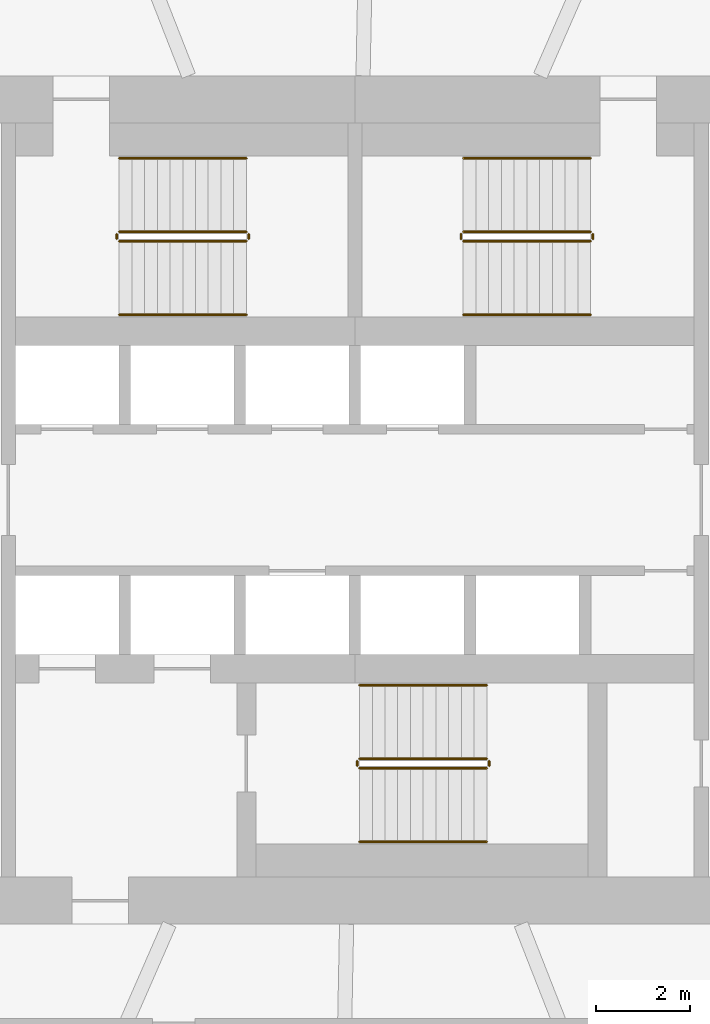
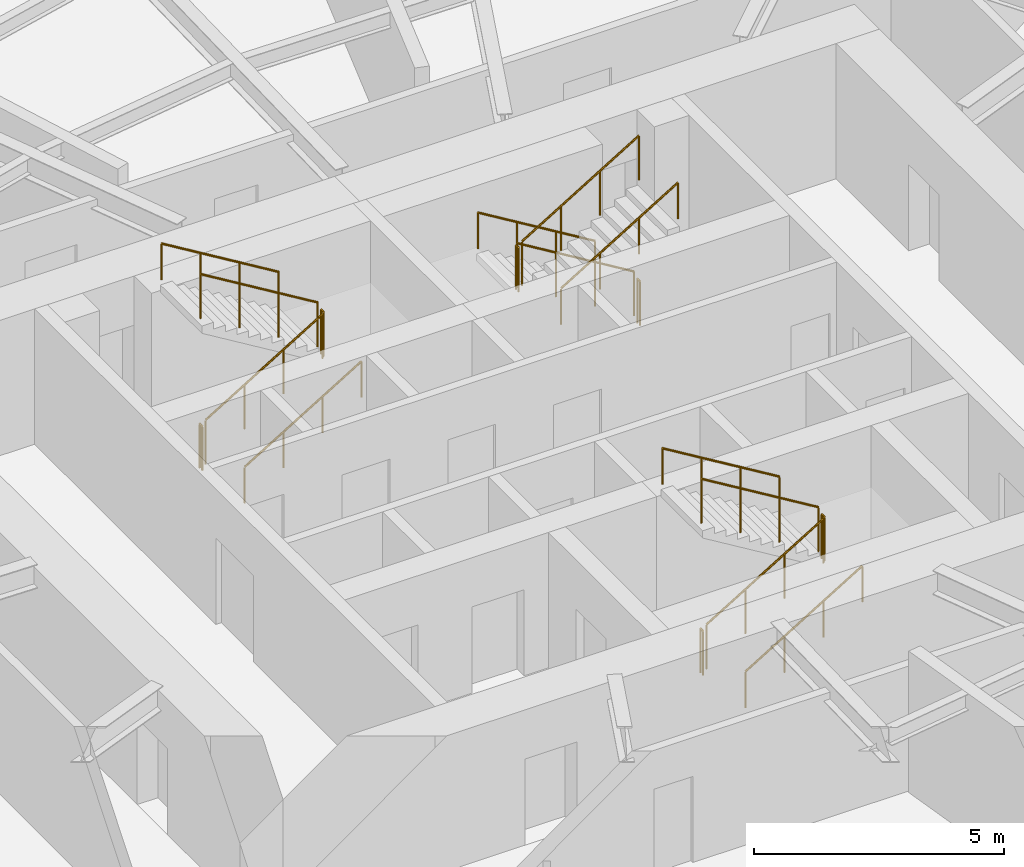
# One storey, part 13 of 14: 18 railings.
"""IFC4 building model written with IfcOpenShell, lengths in metres."""

from ifc_helpers import new_model, si_unit, direction, frame, origin, origin_2d, place, context, subcontext, project, spatial, circle, extrude, material, type_object, element, save


model = new_model("IFC4")

# Units and contexts
model_context = context("Model", 3, precision=1e-05, world=origin(), true_north=direction((0.0, 1.0)))
body_context = subcontext(model_context, "Body", "Model", "MODEL_VIEW")
ifc_project = project(units=[si_unit("LENGTHUNIT", "METRE"), si_unit("AREAUNIT", "SQUARE_METRE"), si_unit("VOLUMEUNIT", "CUBIC_METRE"), si_unit("PLANEANGLEUNIT", "RADIAN"), si_unit("MASSUNIT", "GRAM", prefix="KILO")], contexts=[model_context])

# Site, building, storey
site_placement = place(None, origin())
site = spatial("IfcSite", under=ifc_project, at=site_placement, CompositionType="ELEMENT")
building_placement = place(site_placement, origin())
building = spatial("IfcBuilding", under=site, at=building_placement, Name="Vermilion Reach Broadcast Tower", CompositionType="ELEMENT")
storey_placement = place(building_placement, frame((0.0, 0.0, 143.39990234375)))
storey = spatial("IfcBuildingStorey", under=building, at=storey_placement, Name="L33", CompositionType="ELEMENT", Elevation=143.39990234375)

# Railings
ifc_material_1 = material(Name="Stainless steel", Category="steel")
railing_type_1 = type_object("IfcRailingType", Name="Stair guard 1100", PredefinedType="GUARDRAIL", material=ifc_material_1)
railing_1_placement = place(storey_placement, frame((-11.0, 5.489990234375, 0.163818359375)))
element("IfcRailing", 1, at=railing_1_placement, inside=storey, type_object=railing_type_1, Name="L33 ST1 stair guard 1", PredefinedType="GUARDRAIL", context=body_context, shape_type="SweptSolid", body=[
    extrude(circle(Radius=0.02392578125, at=origin_2d()), frame((0.0, 0.0, 1.076171875), z_axis=(0.855212373127, 0.0, 0.518277721738), x_axis=(0.0, 1.0, 0.0)), (0.0, 0.0, 1.0), 3.156982421875),
    extrude(circle(Radius=0.02099609375, at=origin_2d()), origin(), (0.0, 0.0, 1.0), 1.052001953125),
    extrude(circle(Radius=0.02099609375, at=origin_2d()), frame((0.89990234375, 0.0, 0.54541015625)), (0.0, 0.0, 1.0), 1.052001953125),
    extrude(circle(Radius=0.02099609375, at=origin_2d()), frame((1.800048828125, 0.0, 1.0908203125)), (0.0, 0.0, 1.0), 1.052001953125),
    extrude(circle(Radius=0.02099609375, at=origin_2d()), frame((2.699951171875, 0.0, 1.63623046875)), (0.0, 0.0, 1.0), 1.052001953125),
])
railing_2_placement = place(storey_placement, frame((-8.25, 5.5400390625, 1.800048828125)))
element("IfcRailing", 2, at=railing_2_placement, inside=storey, type_object=railing_type_1, Name="L33 ST1 stair guard 2", PredefinedType="GUARDRAIL", context=body_context, shape_type="SweptSolid", body=[
    extrude(circle(Radius=0.02392578125, at=origin_2d()), frame((0.0, 0.0, 1.076171875), z_axis=(0.0, 1.0, 0.0), x_axis=(-1.0, 0.0, 0.0)), (0.0, 0.0, 1.0), 0.099853515625),
    extrude(circle(Radius=0.02099609375, at=origin_2d()), origin(), (0.0, 0.0, 1.0), 1.052001953125),
    extrude(circle(Radius=0.02099609375, at=origin_2d()), frame((0.0, 0.099853515625, 0.0)), (0.0, 0.0, 1.0), 1.052001953125),
])
railing_3_placement = place(storey_placement, frame((-8.300048828125, 5.68994140625, 1.963623046875)))
element("IfcRailing", 3, at=railing_3_placement, inside=storey, type_object=railing_type_1, Name="L33 ST1 stair guard 3", PredefinedType="GUARDRAIL", context=body_context, shape_type="SweptSolid", body=[
    extrude(circle(Radius=0.02392578125, at=origin_2d()), frame((0.0, 0.0, 1.076171875), z_axis=(-0.855178096276, 0.0, 0.518334277904), x_axis=(0.0, -1.0, 0.0)), (0.0, 0.0, 1.0), 3.1572265625),
    extrude(circle(Radius=0.02099609375, at=origin_2d()), origin(), (0.0, 0.0, 1.0), 1.052001953125),
    extrude(circle(Radius=0.02099609375, at=origin_2d()), frame((-0.89990234375, 0.0, 0.54541015625)), (0.0, 0.0, 1.0), 1.052001953125),
    extrude(circle(Radius=0.02099609375, at=origin_2d()), frame((-1.800048828125, 0.0, 1.091064453125)), (0.0, 0.0, 1.0), 1.052001953125),
    extrude(circle(Radius=0.02099609375, at=origin_2d()), frame((-2.699951171875, 0.0, 1.636474609375)), (0.0, 0.0, 1.0), 1.052001953125),
])
railing_4_placement = place(storey_placement, frame((-11.050048828125, 5.5400390625, 0.0)))
element("IfcRailing", 4, at=railing_4_placement, inside=storey, type_object=railing_type_1, Name="L33 ST1 stair guard 4", PredefinedType="GUARDRAIL", context=body_context, shape_type="SweptSolid", body=[
    extrude(circle(Radius=0.02392578125, at=origin_2d()), frame((0.0, 0.0, 1.076171875), z_axis=(0.0, 1.0, 0.0), x_axis=(-1.0, 0.0, 0.0)), (0.0, 0.0, 1.0), 0.099853515625),
    extrude(circle(Radius=0.02099609375, at=origin_2d()), origin(), (0.0, 0.0, 1.0), 1.052001953125),
    extrude(circle(Radius=0.02099609375, at=origin_2d()), frame((0.0, 0.099853515625, 0.0)), (0.0, 0.0, 1.0), 1.052001953125),
])
railing_5_placement = place(storey_placement, frame((-1.0, 5.68994140625, 0.163818359375)))
element("IfcRailing", 5, at=railing_5_placement, inside=storey, type_object=railing_type_1, Name="L33 ST2 stair guard 1", PredefinedType="GUARDRAIL", context=body_context, shape_type="SweptSolid", body=[
    extrude(circle(Radius=0.02392578125, at=origin_2d()), frame((0.0, 0.0, 1.076171875), z_axis=(-0.855212373127, 0.0, 0.518277721738), x_axis=(0.0, -1.0, 0.0)), (0.0, 0.0, 1.0), 3.156982421875),
    extrude(circle(Radius=0.02099609375, at=origin_2d()), origin(), (0.0, 0.0, 1.0), 1.052001953125),
    extrude(circle(Radius=0.02099609375, at=origin_2d()), frame((-0.89990234375, 0.0, 0.54541015625)), (0.0, 0.0, 1.0), 1.052001953125),
    extrude(circle(Radius=0.02099609375, at=origin_2d()), frame((-1.800048828125, 0.0, 1.0908203125)), (0.0, 0.0, 1.0), 1.052001953125),
    extrude(circle(Radius=0.02099609375, at=origin_2d()), frame((-2.699951171875, 0.0, 1.63623046875)), (0.0, 0.0, 1.0), 1.052001953125),
])
railing_6_placement = place(storey_placement, frame((-3.75, 5.639892578125, 1.800048828125)))
element("IfcRailing", 6, at=railing_6_placement, inside=storey, type_object=railing_type_1, Name="L33 ST2 stair guard 2", PredefinedType="GUARDRAIL", context=body_context, shape_type="SweptSolid", body=[
    extrude(circle(Radius=0.02392578125, at=origin_2d()), frame((0.0, 0.0, 1.076171875), z_axis=(0.0, -1.0, 0.0), x_axis=(1.0, 0.0, 0.0)), (0.0, 0.0, 1.0), 0.099853515625),
    extrude(circle(Radius=0.02099609375, at=origin_2d()), origin(), (0.0, 0.0, 1.0), 1.052001953125),
    extrude(circle(Radius=0.02099609375, at=origin_2d()), frame((0.0, -0.099853515625, 0.0)), (0.0, 0.0, 1.0), 1.052001953125),
])
railing_7_placement = place(storey_placement, frame((-3.699951171875, 5.489990234375, 1.963623046875)))
element("IfcRailing", 7, at=railing_7_placement, inside=storey, type_object=railing_type_1, Name="L33 ST2 stair guard 3", PredefinedType="GUARDRAIL", context=body_context, shape_type="SweptSolid", body=[
    extrude(circle(Radius=0.02392578125, at=origin_2d()), frame((0.0, 0.0, 1.076171875), z_axis=(0.855178096276, 0.0, 0.518334277904), x_axis=(0.0, 1.0, 0.0)), (0.0, 0.0, 1.0), 3.1572265625),
    extrude(circle(Radius=0.02099609375, at=origin_2d()), origin(), (0.0, 0.0, 1.0), 1.052001953125),
    extrude(circle(Radius=0.02099609375, at=origin_2d()), frame((0.89990234375, 0.0, 0.54541015625)), (0.0, 0.0, 1.0), 1.052001953125),
    extrude(circle(Radius=0.02099609375, at=origin_2d()), frame((1.800048828125, 0.0, 1.091064453125)), (0.0, 0.0, 1.0), 1.052001953125),
    extrude(circle(Radius=0.02099609375, at=origin_2d()), frame((2.699951171875, 0.0, 1.636474609375)), (0.0, 0.0, 1.0), 1.052001953125),
])
railing_8_placement = place(storey_placement, frame((-0.949951171875, 5.639892578125, 0.0)))
element("IfcRailing", 8, at=railing_8_placement, inside=storey, type_object=railing_type_1, Name="L33 ST2 stair guard 4", PredefinedType="GUARDRAIL", context=body_context, shape_type="SweptSolid", body=[
    extrude(circle(Radius=0.02392578125, at=origin_2d()), frame((0.0, 0.0, 1.076171875), z_axis=(0.0, -1.0, 0.0), x_axis=(1.0, 0.0, 0.0)), (0.0, 0.0, 1.0), 0.099853515625),
    extrude(circle(Radius=0.02099609375, at=origin_2d()), origin(), (0.0, 0.0, 1.0), 1.052001953125),
    extrude(circle(Radius=0.02099609375, at=origin_2d()), frame((0.0, -0.099853515625, 0.0)), (0.0, 0.0, 1.0), 1.052001953125),
])
railing_9_placement = place(storey_placement, frame((-5.89990234375, -5.68994140625, 0.163818359375)))
element("IfcRailing", 9, at=railing_9_placement, inside=storey, type_object=railing_type_1, Name="L33 ST3 stair guard 1", PredefinedType="GUARDRAIL", context=body_context, shape_type="SweptSolid", body=[
    extrude(circle(Radius=0.02392578125, at=origin_2d()), frame((0.0, 0.0, 1.076171875), z_axis=(0.855212373127, 0.0, 0.518277721738), x_axis=(0.0, 1.0, 0.0)), (0.0, 0.0, 1.0), 3.156982421875),
    extrude(circle(Radius=0.02099609375, at=origin_2d()), origin(), (0.0, 0.0, 1.0), 1.052001953125),
    extrude(circle(Radius=0.02099609375, at=origin_2d()), frame((0.89990234375, 0.0, 0.54541015625)), (0.0, 0.0, 1.0), 1.052001953125),
    extrude(circle(Radius=0.02099609375, at=origin_2d()), frame((1.800048828125, 0.0, 1.0908203125)), (0.0, 0.0, 1.0), 1.052001953125),
    extrude(circle(Radius=0.02099609375, at=origin_2d()), frame((2.699951171875, 0.0, 1.63623046875)), (0.0, 0.0, 1.0), 1.052001953125),
])
railing_10_placement = place(storey_placement, frame((-3.14990234375, -5.639892578125, 1.800048828125)))
element("IfcRailing", 10, at=railing_10_placement, inside=storey, type_object=railing_type_1, Name="L33 ST3 stair guard 2", PredefinedType="GUARDRAIL", context=body_context, shape_type="SweptSolid", body=[
    extrude(circle(Radius=0.02392578125, at=origin_2d()), frame((0.0, 0.0, 1.076171875), z_axis=(0.0, 1.0, 0.0), x_axis=(-1.0, 0.0, 0.0)), (0.0, 0.0, 1.0), 0.099853515625),
    extrude(circle(Radius=0.02099609375, at=origin_2d()), origin(), (0.0, 0.0, 1.0), 1.052001953125),
    extrude(circle(Radius=0.02099609375, at=origin_2d()), frame((0.0, 0.099853515625, 0.0)), (0.0, 0.0, 1.0), 1.052001953125),
])
railing_11_placement = place(storey_placement, frame((-3.199951171875, -5.489990234375, 1.963623046875)))
element("IfcRailing", 11, at=railing_11_placement, inside=storey, type_object=railing_type_1, Name="L33 ST3 stair guard 3", PredefinedType="GUARDRAIL", context=body_context, shape_type="SweptSolid", body=[
    extrude(circle(Radius=0.02392578125, at=origin_2d()), frame((0.0, 0.0, 1.076171875), z_axis=(-0.855178096276, 0.0, 0.518334277904), x_axis=(0.0, -1.0, 0.0)), (0.0, 0.0, 1.0), 3.1572265625),
    extrude(circle(Radius=0.02099609375, at=origin_2d()), origin(), (0.0, 0.0, 1.0), 1.052001953125),
    extrude(circle(Radius=0.02099609375, at=origin_2d()), frame((-0.89990234375, 0.0, 0.54541015625)), (0.0, 0.0, 1.0), 1.052001953125),
    extrude(circle(Radius=0.02099609375, at=origin_2d()), frame((-1.800048828125, 0.0, 1.091064453125)), (0.0, 0.0, 1.0), 1.052001953125),
    extrude(circle(Radius=0.02099609375, at=origin_2d()), frame((-2.699951171875, 0.0, 1.636474609375)), (0.0, 0.0, 1.0), 1.052001953125),
])
railing_12_placement = place(storey_placement, frame((-5.949951171875, -5.639892578125, 0.0)))
element("IfcRailing", 12, at=railing_12_placement, inside=storey, type_object=railing_type_1, Name="L33 ST3 stair guard 4", PredefinedType="GUARDRAIL", context=body_context, shape_type="SweptSolid", body=[
    extrude(circle(Radius=0.02392578125, at=origin_2d()), frame((0.0, 0.0, 1.076171875), z_axis=(0.0, 1.0, 0.0), x_axis=(-1.0, 0.0, 0.0)), (0.0, 0.0, 1.0), 0.099853515625),
    extrude(circle(Radius=0.02099609375, at=origin_2d()), origin(), (0.0, 0.0, 1.0), 1.052001953125),
    extrude(circle(Radius=0.02099609375, at=origin_2d()), frame((0.0, 0.099853515625, 0.0)), (0.0, 0.0, 1.0), 1.052001953125),
])
ifc_material_2 = material(Name="Stainless steel", Category="steel")
railing_type_2 = type_object("IfcRailingType", Name="Stair handrail", PredefinedType="HANDRAIL", material=ifc_material_2)
railing_13_placement = place(storey_placement, frame((-11.0, 3.929931640625, 0.163818359375)))
element("IfcRailing", 13, at=railing_13_placement, inside=storey, type_object=railing_type_2, Name="L33 ST1 stair handrail 1", PredefinedType="HANDRAIL", context=body_context, shape_type="SweptSolid", body=[
    extrude(circle(Radius=0.02392578125, at=origin_2d()), frame((0.0, 0.0, 0.8759765625), z_axis=(0.855212373127, 0.0, 0.518277721738), x_axis=(0.0, 1.0, 0.0)), (0.0, 0.0, 1.0), 3.156982421875),
    extrude(circle(Radius=0.02099609375, at=origin_2d()), origin(), (0.0, 0.0, 1.0), 0.851806640625),
    extrude(circle(Radius=0.02099609375, at=origin_2d()), frame((0.89990234375, 0.0, 0.54541015625)), (0.0, 0.0, 1.0), 0.851806640625),
    extrude(circle(Radius=0.02099609375, at=origin_2d()), frame((1.800048828125, 0.0, 1.0908203125)), (0.0, 0.0, 1.0), 0.851806640625),
    extrude(circle(Radius=0.02099609375, at=origin_2d()), frame((2.699951171875, 0.0, 1.63623046875)), (0.0, 0.0, 1.0), 0.851806640625),
])
railing_14_placement = place(storey_placement, frame((-8.300048828125, 7.25, 1.963623046875)))
element("IfcRailing", 14, at=railing_14_placement, inside=storey, type_object=railing_type_2, Name="L33 ST1 stair handrail 2", PredefinedType="HANDRAIL", context=body_context, shape_type="SweptSolid", body=[
    extrude(circle(Radius=0.02392578125, at=origin_2d()), frame((0.0, 0.0, 0.8759765625), z_axis=(-0.855178096276, 0.0, 0.518334277904), x_axis=(0.0, -1.0, 0.0)), (0.0, 0.0, 1.0), 3.1572265625),
    extrude(circle(Radius=0.02099609375, at=origin_2d()), origin(), (0.0, 0.0, 1.0), 0.851806640625),
    extrude(circle(Radius=0.02099609375, at=origin_2d()), frame((-0.89990234375, 0.0, 0.54541015625)), (0.0, 0.0, 1.0), 0.851806640625),
    extrude(circle(Radius=0.02099609375, at=origin_2d()), frame((-1.800048828125, 0.0, 1.091064453125)), (0.0, 0.0, 1.0), 0.851806640625),
    extrude(circle(Radius=0.02099609375, at=origin_2d()), frame((-2.699951171875, 0.0, 1.636474609375)), (0.0, 0.0, 1.0), 0.851806640625),
])
railing_15_placement = place(storey_placement, frame((-1.0, 7.25, 0.163818359375)))
element("IfcRailing", 15, at=railing_15_placement, inside=storey, type_object=railing_type_2, Name="L33 ST2 stair handrail 1", PredefinedType="HANDRAIL", context=body_context, shape_type="SweptSolid", body=[
    extrude(circle(Radius=0.02392578125, at=origin_2d()), frame((0.0, 0.0, 0.8759765625), z_axis=(-0.855212373127, 0.0, 0.518277721738), x_axis=(0.0, -1.0, 0.0)), (0.0, 0.0, 1.0), 3.156982421875),
    extrude(circle(Radius=0.02099609375, at=origin_2d()), origin(), (0.0, 0.0, 1.0), 0.851806640625),
    extrude(circle(Radius=0.02099609375, at=origin_2d()), frame((-0.89990234375, 0.0, 0.54541015625)), (0.0, 0.0, 1.0), 0.851806640625),
    extrude(circle(Radius=0.02099609375, at=origin_2d()), frame((-1.800048828125, 0.0, 1.0908203125)), (0.0, 0.0, 1.0), 0.851806640625),
    extrude(circle(Radius=0.02099609375, at=origin_2d()), frame((-2.699951171875, 0.0, 1.63623046875)), (0.0, 0.0, 1.0), 0.851806640625),
])
railing_16_placement = place(storey_placement, frame((-3.699951171875, 3.929931640625, 1.963623046875)))
element("IfcRailing", 16, at=railing_16_placement, inside=storey, type_object=railing_type_2, Name="L33 ST2 stair handrail 2", PredefinedType="HANDRAIL", context=body_context, shape_type="SweptSolid", body=[
    extrude(circle(Radius=0.02392578125, at=origin_2d()), frame((0.0, 0.0, 0.8759765625), z_axis=(0.855178096276, 0.0, 0.518334277904), x_axis=(0.0, 1.0, 0.0)), (0.0, 0.0, 1.0), 3.1572265625),
    extrude(circle(Radius=0.02099609375, at=origin_2d()), origin(), (0.0, 0.0, 1.0), 0.851806640625),
    extrude(circle(Radius=0.02099609375, at=origin_2d()), frame((0.89990234375, 0.0, 0.54541015625)), (0.0, 0.0, 1.0), 0.851806640625),
    extrude(circle(Radius=0.02099609375, at=origin_2d()), frame((1.800048828125, 0.0, 1.091064453125)), (0.0, 0.0, 1.0), 0.851806640625),
    extrude(circle(Radius=0.02099609375, at=origin_2d()), frame((2.699951171875, 0.0, 1.636474609375)), (0.0, 0.0, 1.0), 0.851806640625),
])
railing_17_placement = place(storey_placement, frame((-5.89990234375, -7.25, 0.163818359375)))
element("IfcRailing", 17, at=railing_17_placement, inside=storey, type_object=railing_type_2, Name="L33 ST3 stair handrail 1", PredefinedType="HANDRAIL", context=body_context, shape_type="SweptSolid", body=[
    extrude(circle(Radius=0.02392578125, at=origin_2d()), frame((0.0, 0.0, 0.8759765625), z_axis=(0.855212373127, 0.0, 0.518277721738), x_axis=(0.0, 1.0, 0.0)), (0.0, 0.0, 1.0), 3.156982421875),
    extrude(circle(Radius=0.02099609375, at=origin_2d()), origin(), (0.0, 0.0, 1.0), 0.851806640625),
    extrude(circle(Radius=0.02099609375, at=origin_2d()), frame((0.89990234375, 0.0, 0.54541015625)), (0.0, 0.0, 1.0), 0.851806640625),
    extrude(circle(Radius=0.02099609375, at=origin_2d()), frame((1.800048828125, 0.0, 1.0908203125)), (0.0, 0.0, 1.0), 0.851806640625),
    extrude(circle(Radius=0.02099609375, at=origin_2d()), frame((2.699951171875, 0.0, 1.63623046875)), (0.0, 0.0, 1.0), 0.851806640625),
])
railing_18_placement = place(storey_placement, frame((-3.199951171875, -3.929931640625, 1.963623046875)))
element("IfcRailing", 18, at=railing_18_placement, inside=storey, type_object=railing_type_2, Name="L33 ST3 stair handrail 2", PredefinedType="HANDRAIL", context=body_context, shape_type="SweptSolid", body=[
    extrude(circle(Radius=0.02392578125, at=origin_2d()), frame((0.0, 0.0, 0.8759765625), z_axis=(-0.855178096276, 0.0, 0.518334277904), x_axis=(0.0, -1.0, 0.0)), (0.0, 0.0, 1.0), 3.1572265625),
    extrude(circle(Radius=0.02099609375, at=origin_2d()), origin(), (0.0, 0.0, 1.0), 0.851806640625),
    extrude(circle(Radius=0.02099609375, at=origin_2d()), frame((-0.89990234375, 0.0, 0.54541015625)), (0.0, 0.0, 1.0), 0.851806640625),
    extrude(circle(Radius=0.02099609375, at=origin_2d()), frame((-1.800048828125, 0.0, 1.091064453125)), (0.0, 0.0, 1.0), 0.851806640625),
    extrude(circle(Radius=0.02099609375, at=origin_2d()), frame((-2.699951171875, 0.0, 1.636474609375)), (0.0, 0.0, 1.0), 0.851806640625),
])

save(model, "model.ifc")
